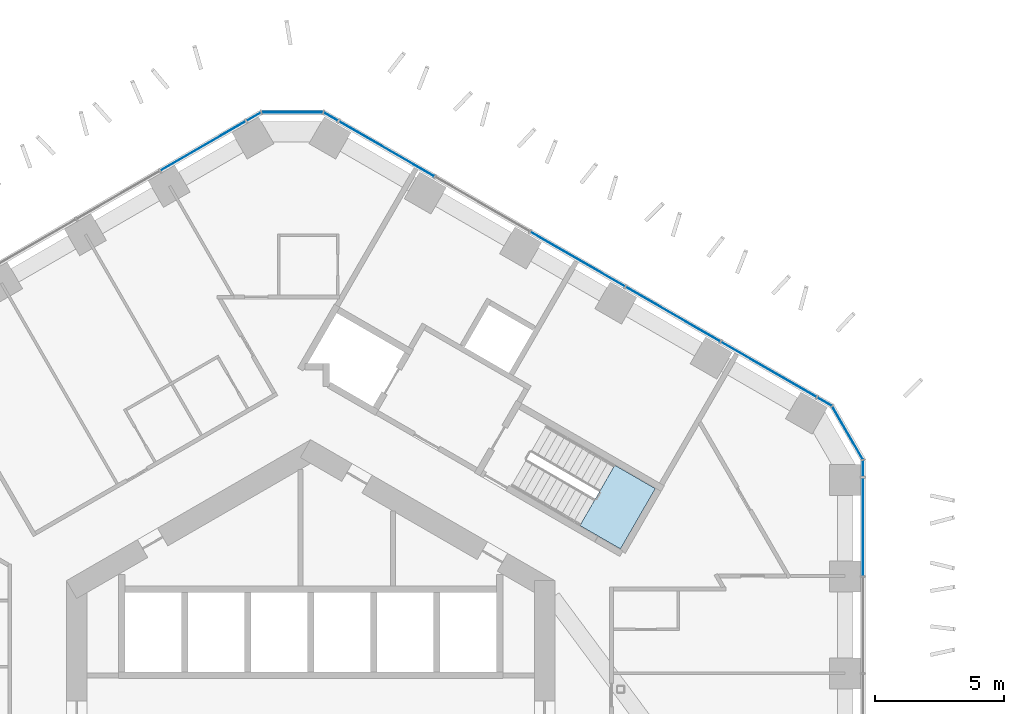
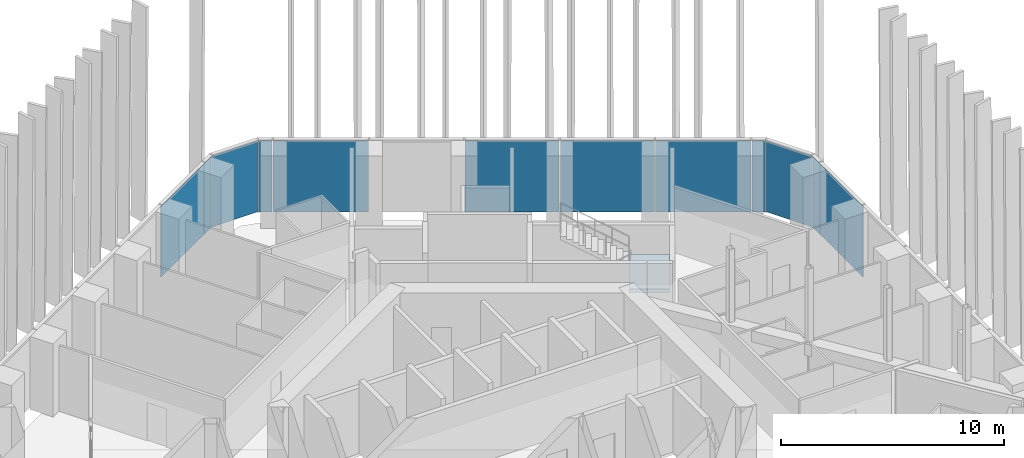
# One storey, part 18 of 29: 12 plates, 1 slab, 6 elements without a shape of their own.
"""IFC4 building model written with IfcOpenShell, lengths in metres."""

from ifc_helpers import new_model, si_unit, direction, frame, origin, origin_2d, place, context, subcontext, project, spatial, polyline, rectangle, outline, extrude, material, layer, layer_set, type_object, element, aggregate, save


model = new_model("IFC4")

# Units and contexts
model_context = context("Model", 3, precision=1e-05, world=origin(), true_north=direction((0.0, 1.0)))
body_context = subcontext(model_context, "Body", "Model", "MODEL_VIEW")
ifc_project = project(units=[si_unit("LENGTHUNIT", "METRE"), si_unit("AREAUNIT", "SQUARE_METRE"), si_unit("VOLUMEUNIT", "CUBIC_METRE"), si_unit("PLANEANGLEUNIT", "RADIAN"), si_unit("MASSUNIT", "GRAM", prefix="KILO")], contexts=[model_context])

# Site, building, storey
site_placement = place(None, origin())
site = spatial("IfcSite", under=ifc_project, at=site_placement, CompositionType="ELEMENT")
building_placement = place(site_placement, origin())
building = spatial("IfcBuilding", under=site, at=building_placement, Name="Ayvan Gate Tower", CompositionType="ELEMENT")
storey_placement = place(building_placement, frame((0.0, 0.0, 66.300048828125)))
storey = spatial("IfcBuildingStorey", under=building, at=storey_placement, Name="L17", CompositionType="ELEMENT", Elevation=66.300048828125)

# Stair, slab
ifc_material_1 = material(Name="Concrete C40/50", Category="concrete")
stair_type = type_object("IfcStairType", Name="ST-EXIT", PredefinedType="HALF_TURN_STAIR", material=ifc_material_1)
stair_placement = place(storey_placement, origin())
stair = element("IfcStair", 1, at=stair_placement, inside=storey, type_object=stair_type, Name="L17 Exit Stair S1", PredefinedType="HALF_TURN_STAIR")
ifc_layer_1 = layer(ifc_material_1, 0.199951171875)
ifc_layer_set_1 = layer_set([ifc_layer_1], Name="Concrete C40/50")
slab_type = type_object("IfcSlabType", Name="SL-LANDING-200", PredefinedType="LANDING", material=ifc_layer_set_1)
slab_placement = place(storey_placement, frame((0.0, 0.0, 1.800048828125)))
slab = element("IfcSlab", 2, at=slab_placement, type_object=slab_type, Name="STS1 landing 1", PredefinedType="LANDING", context=body_context, shape_type="SweptSolid", body=[
    extrude(outline(polyline([(10.473388671875, 7.630615234375), (12.049560546875, 6.720458984375), (13.404541015625, 9.0673828125), (11.828369140625, 9.9775390625), (10.473388671875, 7.630615234375)])), origin(), (0.0, 0.0, 1.0), 0.199951171875),
])
aggregate(stair, [slab])

# Curtain wall, plate
ifc_material_2 = material(Name="Bronze anodised aluminium", Category="aluminium")
ifc_layer_2 = layer(ifc_material_2, 0.199951171875)
ifc_layer_set_2 = layer_set([ifc_layer_2], Name="Bronze anodised aluminium")
curtain_wall_type_1 = type_object("IfcCurtainWallType", Name="Stick curtain wall CW-1", PredefinedType="NOTDEFINED", material=ifc_layer_set_2)
curtain_wall_1_placement = place(storey_placement, origin())
curtain_wall_1 = element("IfcCurtainWall", 3, at=curtain_wall_1_placement, inside=storey, type_object=curtain_wall_type_1, Name="Stick curtain wall CW-1 L17", PredefinedType="NOTDEFINED")
ifc_material_3 = material(Name="Clear low-iron laminated glass", Category="glass")
ifc_layer_3 = layer(ifc_material_3, 0.028076171875)
ifc_layer_set_3 = layer_set([ifc_layer_3], Name="Clear low-iron laminated glass")
plate_type_1 = type_object("IfcPlateType", Name="Stick curtain wall CW-1 glass panel", PredefinedType="CURTAIN_PANEL", material=ifc_layer_set_3)
plate_1_placement = place(storey_placement, frame((21.484619140625, 7.590576171875, 0.0), z_axis=(0.0, 0.0, 1.0), x_axis=(0.0, 1.0, 0.0)))
plate_1 = element("IfcPlate", 4, at=plate_1_placement, type_object=plate_type_1, Name="CW-1 glass panel 5", PredefinedType="CURTAIN_PANEL", context=body_context, shape_type="SweptSolid", body=[
    extrude(rectangle(XDim=3.83447265625, YDim=0.028076171875, at=origin_2d()), origin(), (0.0, 0.0, 1.0), 3.8798828125),
])
aggregate(curtain_wall_1, [plate_1])

# Curtain wall, plates
curtain_wall_2_placement = place(storey_placement, origin())
curtain_wall_2 = element("IfcCurtainWall", 5, at=curtain_wall_2_placement, inside=storey, type_object=curtain_wall_type_1, Name="Stick curtain wall CW-1 L17", PredefinedType="NOTDEFINED")
plate_2_placement = place(storey_placement, frame((17.829833984375, 13.69189453125, 0.0), z_axis=(0.0, 0.0, 1.0), x_axis=(-0.866025403784, 0.5, 0.0)))
plate_2 = element("IfcPlate", 6, at=plate_2_placement, type_object=plate_type_1, Name="CW-1 glass panel 1", PredefinedType="CURTAIN_PANEL", context=body_context, shape_type="SweptSolid", body=[
    extrude(rectangle(XDim=4.2919921875, YDim=0.028076171875, at=origin_2d()), origin(), (0.0, 0.0, 1.0), 3.8798828125),
])
plate_3_placement = place(storey_placement, frame((14.092529296875, 15.849609375, 0.0), z_axis=(0.0, 0.0, 1.0), x_axis=(-0.866025403784, 0.5, 0.0)))
plate_3 = element("IfcPlate", 7, at=plate_3_placement, type_object=plate_type_1, Name="CW-1 glass panel 2", PredefinedType="CURTAIN_PANEL", context=body_context, shape_type="SweptSolid", body=[
    extrude(rectangle(XDim=4.218994140625, YDim=0.028076171875, at=origin_2d()), origin(), (0.0, 0.0, 1.0), 3.8798828125),
])
plate_4_placement = place(storey_placement, frame((10.386474609375, 17.9892578125, 0.0), z_axis=(0.0, 0.0, 1.0), x_axis=(-0.866025403784, 0.5, 0.0)))
plate_4 = element("IfcPlate", 8, at=plate_4_placement, type_object=plate_type_1, Name="CW-1 glass panel 3", PredefinedType="CURTAIN_PANEL", context=body_context, shape_type="SweptSolid", body=[
    extrude(rectangle(XDim=4.219970703125, YDim=0.028076171875, at=origin_2d()), origin(), (0.0, 0.0, 1.0), 3.8798828125),
])
plate_5_placement = place(storey_placement, frame((2.9423828125, 22.287109375, 0.0), z_axis=(0.0, 0.0, 1.0), x_axis=(-0.866025403784, 0.5, 0.0)))
plate_5 = element("IfcPlate", 9, at=plate_5_placement, type_object=plate_type_1, Name="CW-1 glass panel 5", PredefinedType="CURTAIN_PANEL", context=body_context, shape_type="SweptSolid", body=[
    extrude(rectangle(XDim=4.29150390625, YDim=0.028076171875, at=origin_2d()), origin(), (0.0, 0.0, 1.0), 3.8798828125),
])
aggregate(curtain_wall_2, [plate_2, plate_3, plate_4, plate_5])

# Curtain wall, plate
curtain_wall_3_placement = place(storey_placement, origin())
curtain_wall_3 = element("IfcCurtainWall", 10, at=curtain_wall_3_placement, inside=storey, type_object=curtain_wall_type_1, Name="Stick curtain wall CW-1 L17", PredefinedType="NOTDEFINED")
plate_6_placement = place(storey_placement, frame((-4.1689453125, 22.4013671875, 0.0), z_axis=(0.0, 0.0, 1.0), x_axis=(-0.866025403784, -0.5, 0.0)))
plate_6 = element("IfcPlate", 11, at=plate_6_placement, type_object=plate_type_1, Name="CW-1 glass panel 1", PredefinedType="CURTAIN_PANEL", context=body_context, shape_type="SweptSolid", body=[
    extrude(rectangle(XDim=3.8349609375, YDim=0.028076171875, at=origin_2d()), origin(), (0.0, 0.0, 1.0), 3.8798828125),
])
aggregate(curtain_wall_3, [plate_6])

# Curtain wall, plates
ifc_layer_4 = layer(ifc_material_2, 0.199951171875)
ifc_layer_set_4 = layer_set([ifc_layer_4], Name="Bronze anodised aluminium")
curtain_wall_type_2 = type_object("IfcCurtainWallType", Name="Stick curtain wall CW-6", PredefinedType="NOTDEFINED", material=ifc_layer_set_4)
curtain_wall_4_placement = place(storey_placement, origin())
curtain_wall_4 = element("IfcCurtainWall", 12, at=curtain_wall_4_placement, inside=storey, type_object=curtain_wall_type_2, Name="Stick curtain wall CW-6 L17", PredefinedType="NOTDEFINED")
ifc_layer_5 = layer(ifc_material_3, 0.028076171875)
ifc_layer_set_5 = layer_set([ifc_layer_5], Name="Clear low-iron laminated glass")
plate_type_2 = type_object("IfcPlateType", Name="Stick curtain wall CW-6 glass panel", PredefinedType="CURTAIN_PANEL", material=ifc_layer_set_5)
plate_7_placement = place(storey_placement, frame((21.484619140625, 9.850341796875, 0.0), z_axis=(0.0, 0.0, 1.0), x_axis=(0.0, 1.0, 0.0)))
plate_7 = element("IfcPlate", 13, at=plate_7_placement, type_object=plate_type_2, Name="CW-6 glass panel 1", PredefinedType="CURTAIN_PANEL", context=body_context, shape_type="SweptSolid", body=[
    extrude(rectangle(XDim=0.625, YDim=0.028076171875, at=origin_2d()), origin(), (0.0, 0.0, 1.0), 3.8798828125),
])
plate_8_placement = place(storey_placement, frame((20.880859375, 11.2333984375, 0.0), z_axis=(0.0, 0.0, 1.0), x_axis=(-0.5, 0.866025403784, 0.0)))
plate_8 = element("IfcPlate", 14, at=plate_8_placement, type_object=plate_type_2, Name="CW-6 glass panel 2", PredefinedType="CURTAIN_PANEL", context=body_context, shape_type="SweptSolid", body=[
    extrude(rectangle(XDim=2.364501953125, YDim=0.028076171875, at=origin_2d()), origin(), (0.0, 0.0, 1.0), 3.8798828125),
])
plate_9_placement = place(storey_placement, frame((19.985107421875, 12.447509765625, 0.0), z_axis=(0.0, 0.0, 1.0), x_axis=(-0.866025403784, 0.5, 0.0)))
plate_9 = element("IfcPlate", 15, at=plate_9_placement, type_object=plate_type_2, Name="CW-6 glass panel 3", PredefinedType="CURTAIN_PANEL", context=body_context, shape_type="SweptSolid", body=[
    extrude(rectangle(XDim=0.625, YDim=0.028076171875, at=origin_2d()), origin(), (0.0, 0.0, 1.0), 3.8798828125),
])
aggregate(curtain_wall_4, [plate_7, plate_8, plate_9])

curtain_wall_5_placement = place(storey_placement, origin())
curtain_wall_5 = element("IfcCurtainWall", 16, at=curtain_wall_5_placement, inside=storey, type_object=curtain_wall_type_2, Name="Stick curtain wall CW-6 L17", PredefinedType="NOTDEFINED")
plate_10_placement = place(storey_placement, frame((0.787353515625, 23.53125, 0.0), z_axis=(0.0, 0.0, 1.0), x_axis=(-0.866025403784, 0.5, 0.0)))
plate_10 = element("IfcPlate", 17, at=plate_10_placement, type_object=plate_type_2, Name="CW-6 glass panel 1", PredefinedType="CURTAIN_PANEL", context=body_context, shape_type="SweptSolid", body=[
    extrude(rectangle(XDim=0.625, YDim=0.028076171875, at=origin_2d()), origin(), (0.0, 0.0, 1.0), 3.8798828125),
])
plate_11_placement = place(storey_placement, frame((-0.712158203125, 23.7001953125, 0.0), z_axis=(0.0, 0.0, 1.0), x_axis=(-1.0, 0.0, 0.0)))
plate_11 = element("IfcPlate", 18, at=plate_11_placement, type_object=plate_type_2, Name="CW-6 glass panel 2", PredefinedType="CURTAIN_PANEL", context=body_context, shape_type="SweptSolid", body=[
    extrude(rectangle(XDim=2.364501953125, YDim=0.028076171875, at=origin_2d()), origin(), (0.0, 0.0, 1.0), 3.8798828125),
])
plate_12_placement = place(storey_placement, frame((-2.211669921875, 23.53125, 0.0), z_axis=(0.0, 0.0, 1.0), x_axis=(-0.866025403784, -0.5, 0.0)))
plate_12 = element("IfcPlate", 19, at=plate_12_placement, type_object=plate_type_2, Name="CW-6 glass panel 3", PredefinedType="CURTAIN_PANEL", context=body_context, shape_type="SweptSolid", body=[
    extrude(rectangle(XDim=0.625, YDim=0.028076171875, at=origin_2d()), origin(), (0.0, 0.0, 1.0), 3.8798828125),
])
aggregate(curtain_wall_5, [plate_10, plate_11, plate_12])

save(model, "model.ifc")
